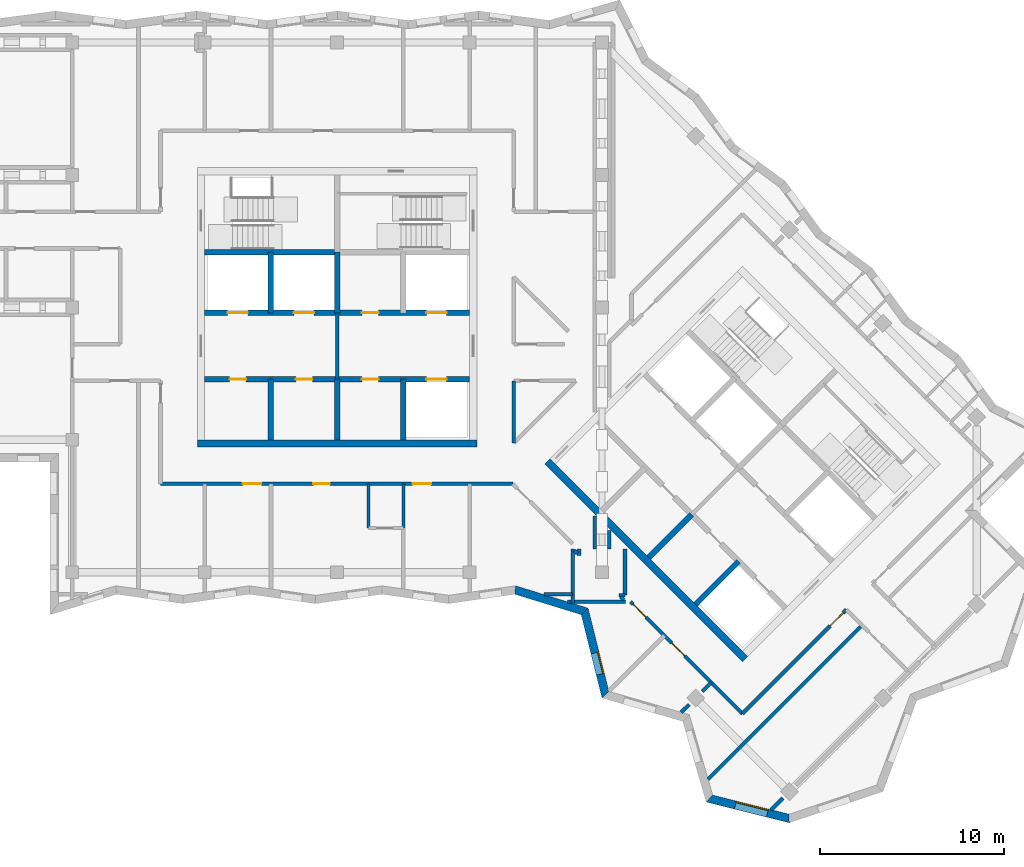
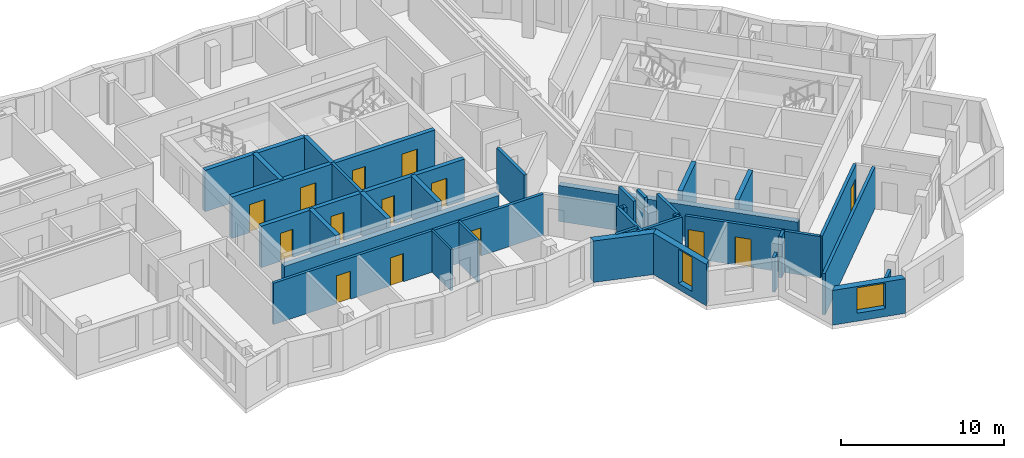
# One storey, part 4 of 12: 36 walls, 14 doors, 2 windows, 16 openings.
"""IFC4 building model written with IfcOpenShell, lengths in metres."""

from ifc_helpers import new_model, si_unit, direction, frame, frame_2d, origin, place, context, subcontext, project, spatial, polyline, rectangle, outline, extrude, material, layer, layer_set, type_object, element, fill, save


model = new_model("IFC4")

# Units and contexts
model_context = context("Model", 3, precision=1e-05, world=origin(), true_north=direction((0.0, 1.0)))
body_context = subcontext(model_context, "Body", "Model", "MODEL_VIEW")
ifc_project = project(units=[si_unit("LENGTHUNIT", "METRE"), si_unit("AREAUNIT", "SQUARE_METRE"), si_unit("VOLUMEUNIT", "CUBIC_METRE"), si_unit("PLANEANGLEUNIT", "RADIAN"), si_unit("MASSUNIT", "GRAM", prefix="KILO")], contexts=[model_context])

# Site, building, storey
site_placement = place(None, origin())
site = spatial("IfcSite", under=ifc_project, at=site_placement, CompositionType="ELEMENT")
building_placement = place(site_placement, origin())
building = spatial("IfcBuilding", under=site, at=building_placement, Name="Windrow Commons", CompositionType="ELEMENT")
storey_placement = place(building_placement, frame((0.0, 0.0, 267.6)))
storey = spatial("IfcBuildingStorey", under=building, at=storey_placement, Name="L73", CompositionType="ELEMENT", Elevation=267.6)

# Wall
ifc_material_1 = material(Name="Brick masonry, red clay brick", Category="masonry")
ifc_layer_1 = layer(ifc_material_1, 0.45)
ifc_layer_set_1 = layer_set([ifc_layer_1], Name="Brick facade wall 450")
wall_type_1 = type_object("IfcWallType", Name="Brick facade wall 450", PredefinedType="SOLIDWALL", material=ifc_layer_set_1)
wall_1_placement = place(storey_placement, frame((74.4776, 42.2298, 0.0), z_axis=(0.0, 0.0, 1.0), x_axis=(0.9556580509, -0.2944786746, 0.0)))
element("IfcWall", 1, at=wall_1_placement, inside=storey, type_object=wall_type_1, Name="Brick facade wall L73 46", PredefinedType="SOLIDWALL", context=body_context, shape_type="SweptSolid", body=[
    extrude(outline(polyline([(0.0503, -0.225), (3.8262, -0.225), (4.08, 0.225), (-0.0503, 0.225), (0.0503, -0.225)])), origin(), (0.0, 0.0, 1.0), 3.1),
])

# Wall, opening, window
wall_2_placement = place(storey_placement, frame((78.2554, 41.0657, 0.0), z_axis=(0.0, 0.0, 1.0), x_axis=(0.2425709501, -0.9701336682, 0.0)))
wall_2 = element("IfcWall", 2, at=wall_2_placement, inside=storey, type_object=wall_type_1, Name="Brick facade wall L73 47", PredefinedType="SOLIDWALL", context=body_context, shape_type="SweptSolid", body=[
    extrude(outline(polyline([(0.1269, -0.225), (4.7918, -0.225), (4.5332, 0.225), (-0.1269, 0.225), (0.1269, -0.225)])), origin(), (0.0, 0.0, 1.0), 3.1),
])
opening_1_placement = place(wall_2_placement, frame((2.322, 0.0, 0.45)))
opening_1 = element("IfcOpeningElement", 3, at=opening_1_placement, cuts=wall_2, Name="Opening W7F", PredefinedType="OPENING", context=body_context, shape_type="SweptSolid", body=[
    extrude(rectangle(XDim=1.2, YDim=2.55, at=frame_2d((0.6, 1.275))), frame((0.0, 0.235, 0.0), z_axis=(0.0, -1.0, 0.0), x_axis=(1.0, 0.0, 0.0)), (0.0, 0.0, 1.0), 0.47),
])
ifc_material_2 = material(Name="Clear float glass in anodised aluminium frame", Category="aluminium")
window_type_1 = type_object("IfcWindowType", Name="Window W7 notch 1200x2550", PartitioningType="SINGLE_PANEL", PredefinedType="WINDOW", material=ifc_material_2)
window_1_placement = place(opening_1_placement, origin())
window_1 = element("IfcWindow", 4, at=window_1_placement, inside=storey, type_object=window_type_1, Name="Window L73 47.1", OverallHeight=2.55, OverallWidth=1.2, PartitioningType="SINGLE_PANEL", PredefinedType="WINDOW", context=body_context, shape_type="SweptSolid", body=[
    extrude(rectangle(XDim=1.2, YDim=2.55, at=frame_2d((0.6, 1.275))), frame((0.0, 0.205, 0.0), z_axis=(0.0, -1.0, 0.0), x_axis=(1.0, 0.0, 0.0)), (0.0, 0.0, 1.0), 0.06),
])
fill(opening_1, window_1)

wall_3_placement = place(storey_placement, frame((85.0367, 30.8921, 0.0), z_axis=(0.0, 0.0, 1.0), x_axis=(0.970134604, -0.2425672073, 0.0)))
wall_3 = element("IfcWall", 5, at=wall_3_placement, inside=storey, type_object=wall_type_1, Name="Brick facade wall L73 50", PredefinedType="SOLIDWALL", context=body_context, shape_type="SweptSolid", body=[
    extrude(outline(polyline([(-0.1293, -0.225), (4.5357, -0.225), (4.4046, 0.225), (0.1293, 0.225), (-0.1293, -0.225)])), origin(), (0.0, 0.0, 1.0), 2.6),
])
opening_2_placement = place(wall_3_placement, frame((1.455, 0.0, 0.6)))
opening_2 = element("IfcOpeningElement", 6, at=opening_2_placement, cuts=wall_3, Name="Opening W1L", PredefinedType="OPENING", context=body_context, shape_type="SweptSolid", body=[
    extrude(rectangle(XDim=1.8, YDim=1.9, at=frame_2d((0.9, 0.95))), frame((0.0, 0.235, 0.0), z_axis=(0.0, -1.0, 0.0), x_axis=(1.0, 0.0, 0.0)), (0.0, 0.0, 1.0), 0.47),
])
ifc_material_3 = material(Name="Clear float glass in anodised aluminium frame", Category="aluminium")
window_type_2 = type_object("IfcWindowType", Name="Window W1L bedroom 1800x1900", PartitioningType="SINGLE_PANEL", PredefinedType="WINDOW", material=ifc_material_3)
window_2_placement = place(opening_2_placement, origin())
window_2 = element("IfcWindow", 7, at=window_2_placement, inside=storey, type_object=window_type_2, Name="Window L73 50.1", OverallHeight=1.9, OverallWidth=1.8, PartitioningType="SINGLE_PANEL", PredefinedType="WINDOW", context=body_context, shape_type="SweptSolid", body=[
    extrude(rectangle(XDim=1.8, YDim=1.9, at=frame_2d((0.9, 0.95))), frame((0.0, 0.205, 0.0), z_axis=(0.0, -1.0, 0.0), x_axis=(1.0, 0.0, 0.0)), (0.0, 0.0, 1.0), 0.06),
])
fill(opening_2, window_2)

# Wall
ifc_material_4 = material(Name="Blockwork partition", Category="masonry")
ifc_layer_2 = layer(ifc_material_4, 0.2)
ifc_layer_set_2 = layer_set([ifc_layer_2], Name="Fire lobby partition 200")
wall_type_2 = type_object("IfcWallType", Name="Fire lobby partition 200", PredefinedType="PARTITIONING", material=ifc_layer_set_2)
wall_4_placement = place(storey_placement, frame((64.8, 53.7, 0.0), z_axis=(0.0, 0.0, 1.0), x_axis=(0.0, 1.0, 0.0)))
element("IfcWall", 8, at=wall_4_placement, inside=storey, type_object=wall_type_2, Name="W-core-lobby-A-L73", PredefinedType="PARTITIONING", context=body_context, shape_type="SweptSolid", body=[
    extrude(rectangle(XDim=3.6, YDim=0.2, at=frame_2d((1.8, 0.0))), origin(), (0.0, 0.0, 1.0), 3.1),
])

# Wall, openings, doors
ifc_material_5 = material(Name="Blockwork partition", Category="masonry")
ifc_layer_3 = layer(ifc_material_5, 0.2)
ifc_layer_set_3 = layer_set([ifc_layer_3], Name="IW-CORRIDOR-200")
wall_type_3 = type_object("IfcWallType", Name="IW-CORRIDOR-200", PredefinedType="PARTITIONING", material=ifc_layer_set_3)
wall_5_placement = place(storey_placement, frame((55.2, 48.0, 0.0), z_axis=(0.0, 0.0, 1.0), x_axis=(1.0, 0.0, 0.0)))
wall_5 = element("IfcWall", 9, at=wall_5_placement, inside=storey, type_object=wall_type_3, Name="W-L73-W001", PredefinedType="PARTITIONING", context=body_context, shape_type="SweptSolid", body=[
    extrude(rectangle(XDim=19.15, YDim=0.2, at=frame_2d((9.575, 0.0))), origin(), (0.0, 0.0, 1.0), 3.1),
])
opening_3_placement = place(wall_5_placement, frame((4.475, 0.0, 0.0)))
opening_3 = element("IfcOpeningElement", 10, at=opening_3_placement, cuts=wall_5, Name="Opening D310F", PredefinedType="OPENING", context=body_context, shape_type="SweptSolid", body=[
    extrude(rectangle(XDim=1.0, YDim=2.1, at=frame_2d((0.5, 1.05))), frame((0.0, 0.11, 0.0), z_axis=(0.0, -1.0, 0.0), x_axis=(1.0, 0.0, 0.0)), (0.0, 0.0, 1.0), 0.22),
])
opening_4_placement = place(wall_5_placement, frame((8.3006, 0.0, 0.0)))
opening_4 = element("IfcOpeningElement", 11, at=opening_4_placement, cuts=wall_5, Name="Opening D109F", PredefinedType="OPENING", context=body_context, shape_type="SweptSolid", body=[
    extrude(rectangle(XDim=0.9, YDim=2.1, at=frame_2d((0.45, 1.05))), frame((0.0, 0.11, 0.0), z_axis=(0.0, -1.0, 0.0), x_axis=(1.0, 0.0, 0.0)), (0.0, 0.0, 1.0), 0.22),
])
opening_5_placement = place(wall_5_placement, frame((13.7075, 0.0, 0.0)))
opening_5 = element("IfcOpeningElement", 12, at=opening_5_placement, cuts=wall_5, Name="Opening D310F", PredefinedType="OPENING", context=body_context, shape_type="SweptSolid", body=[
    extrude(rectangle(XDim=1.0, YDim=2.1, at=frame_2d((0.5, 1.05))), frame((0.0, 0.11, 0.0), z_axis=(0.0, -1.0, 0.0), x_axis=(1.0, 0.0, 0.0)), (0.0, 0.0, 1.0), 0.22),
])
ifc_material_6 = material(Name="Timber door leaf", Category="wood")
door_type_1 = type_object("IfcDoorType", Name="DT-AMENITY-1000", OperationType="SINGLE_SWING_LEFT", PredefinedType="DOOR", material=ifc_material_6)
door_1_placement = place(opening_3_placement, origin())
door_1 = element("IfcDoor", 13, at=door_1_placement, inside=storey, type_object=door_type_1, Name="D-L73-D009", OperationType="SINGLE_SWING_LEFT", OverallHeight=2.1, OverallWidth=1.0, PredefinedType="DOOR", context=body_context, shape_type="SweptSolid", body=[
    extrude(rectangle(XDim=1.0, YDim=2.1, at=frame_2d((0.5, 1.05))), frame((0.0, 0.025, 0.0), z_axis=(0.0, -1.0, 0.0), x_axis=(1.0, 0.0, 0.0)), (0.0, 0.0, 1.0), 0.05),
])
fill(opening_3, door_1)
door_2_placement = place(opening_5_placement, origin())
door_2 = element("IfcDoor", 14, at=door_2_placement, inside=storey, type_object=door_type_1, Name="D-L73-D012", OperationType="SINGLE_SWING_RIGHT", OverallHeight=2.1, OverallWidth=1.0, PredefinedType="DOOR", context=body_context, shape_type="SweptSolid", body=[
    extrude(rectangle(XDim=1.0, YDim=2.1, at=frame_2d((0.5, 1.05))), frame((0.0, 0.025, 0.0), z_axis=(0.0, -1.0, 0.0), x_axis=(1.0, 0.0, 0.0)), (0.0, 0.0, 1.0), 0.05),
])
fill(opening_5, door_2)
ifc_material_7 = material(Name="Timber door leaf", Category="wood")
door_type_2 = type_object("IfcDoorType", Name="DT-BEDROOM-900", OperationType="SINGLE_SWING_LEFT", PredefinedType="DOOR", material=ifc_material_7)
door_3_placement = place(opening_4_placement, origin())
door_3 = element("IfcDoor", 15, at=door_3_placement, inside=storey, type_object=door_type_2, Name="D-L73-D010", OperationType="SINGLE_SWING_RIGHT", OverallHeight=2.1, OverallWidth=0.9, PredefinedType="DOOR", context=body_context, shape_type="SweptSolid", body=[
    extrude(rectangle(XDim=0.9, YDim=2.1, at=frame_2d((0.45, 1.05))), frame((0.0, 0.025, 0.0), z_axis=(0.0, -1.0, 0.0), x_axis=(1.0, 0.0, 0.0)), (0.0, 0.0, 1.0), 0.05),
])
fill(opening_4, door_3)

wall_6_placement = place(storey_placement, frame((80.7468, 41.5968, 0.0), z_axis=(0.0, 0.0, 1.0), x_axis=(0.7071067812, -0.7071067812, 0.0)))
wall_6 = element("IfcWall", 16, at=wall_6_placement, inside=storey, type_object=wall_type_3, Name="W-L73-W019", PredefinedType="PARTITIONING", context=body_context, shape_type="SweptSolid", body=[
    extrude(rectangle(XDim=8.6069, YDim=0.2, at=frame_2d((4.3034, 0.0))), origin(), (0.0, 0.0, 1.0), 3.1),
])
opening_6_placement = place(wall_6_placement, frame((0.1948, 0.0, 0.0)))
opening_6 = element("IfcOpeningElement", 17, at=opening_6_placement, cuts=wall_6, Name="Opening D310F", PredefinedType="OPENING", context=body_context, shape_type="SweptSolid", body=[
    extrude(rectangle(XDim=1.0, YDim=2.1, at=frame_2d((0.5, 1.05))), frame((0.0, 0.11, 0.0), z_axis=(0.0, -1.0, 0.0), x_axis=(1.0, 0.0, 0.0)), (0.0, 0.0, 1.0), 0.22),
])
opening_7_placement = place(wall_6_placement, frame((3.1754, 0.0, 0.0)))
opening_7 = element("IfcOpeningElement", 18, at=opening_7_placement, cuts=wall_6, Name="Opening D410F", PredefinedType="OPENING", context=body_context, shape_type="SweptSolid", body=[
    extrude(rectangle(XDim=1.0, YDim=2.1, at=frame_2d((0.5, 1.05))), frame((0.0, 0.11, 0.0), z_axis=(0.0, -1.0, 0.0), x_axis=(1.0, 0.0, 0.0)), (0.0, 0.0, 1.0), 0.22),
])
door_4_placement = place(opening_6_placement, origin())
door_4 = element("IfcDoor", 19, at=door_4_placement, inside=storey, type_object=door_type_1, Name="D-L73-D032", OperationType="SINGLE_SWING_LEFT", OverallHeight=2.1, OverallWidth=1.0, PredefinedType="DOOR", context=body_context, shape_type="SweptSolid", body=[
    extrude(rectangle(XDim=1.0, YDim=2.1, at=frame_2d((0.5, 1.05))), frame((0.0, 0.025, 0.0), z_axis=(0.0, -1.0, 0.0), x_axis=(1.0, 0.0, 0.0)), (0.0, 0.0, 1.0), 0.05),
])
fill(opening_6, door_4)
ifc_material_8 = material(Name="Timber door leaf", Category="wood")
door_type_3 = type_object("IfcDoorType", Name="DT-SERVICE-1000", OperationType="SINGLE_SWING_LEFT", PredefinedType="DOOR", material=ifc_material_8)
door_5_placement = place(opening_7_placement, origin())
door_5 = element("IfcDoor", 20, at=door_5_placement, inside=storey, type_object=door_type_3, Name="D-L73-D033", OperationType="SINGLE_SWING_LEFT", OverallHeight=2.1, OverallWidth=1.0, PredefinedType="DOOR", context=body_context, shape_type="SweptSolid", body=[
    extrude(rectangle(XDim=1.0, YDim=2.1, at=frame_2d((0.5, 1.05))), frame((0.0, 0.025, 0.0), z_axis=(0.0, -1.0, 0.0), x_axis=(1.0, 0.0, 0.0)), (0.0, 0.0, 1.0), 0.05),
])
fill(opening_7, door_5)

# Wall, opening, door
wall_7_placement = place(storey_placement, frame((86.8359, 35.5141, 0.0), z_axis=(0.0, 0.0, 1.0), x_axis=(0.7071067812, 0.7071067812, 0.0)))
wall_7 = element("IfcWall", 21, at=wall_7_placement, inside=storey, type_object=wall_type_3, Name="W-L73-W021", PredefinedType="PARTITIONING", context=body_context, shape_type="SweptSolid", body=[
    extrude(rectangle(XDim=7.9988, YDim=0.2, at=frame_2d((3.9994, 0.0))), origin(), (0.0, 0.0, 1.0), 3.1),
])
opening_8_placement = place(wall_7_placement, frame((6.7421, 0.0, 0.0)))
opening_8 = element("IfcOpeningElement", 22, at=opening_8_placement, cuts=wall_7, Name="Opening D310F", PredefinedType="OPENING", context=body_context, shape_type="SweptSolid", body=[
    extrude(rectangle(XDim=1.0, YDim=2.1, at=frame_2d((0.5, 1.05))), frame((0.0, 0.11, 0.0), z_axis=(0.0, -1.0, 0.0), x_axis=(1.0, 0.0, 0.0)), (0.0, 0.0, 1.0), 0.22),
])
door_6_placement = place(opening_8_placement, origin())
door_6 = element("IfcDoor", 23, at=door_6_placement, inside=storey, type_object=door_type_1, Name="D-L73-D035", OperationType="SINGLE_SWING_RIGHT", OverallHeight=2.1, OverallWidth=1.0, PredefinedType="DOOR", context=body_context, shape_type="SweptSolid", body=[
    extrude(rectangle(XDim=1.0, YDim=2.1, at=frame_2d((0.5, 1.05))), frame((0.0, 0.025, 0.0), z_axis=(0.0, -1.0, 0.0), x_axis=(1.0, 0.0, 0.0)), (0.0, 0.0, 1.0), 0.05),
])
fill(opening_8, door_6)

# Walls
wall_8_placement = place(storey_placement, frame((74.4, 50.232, 0.0), z_axis=(0.0, 0.0, 1.0), x_axis=(0.0, 1.0, 0.0)))
element("IfcWall", 24, at=wall_8_placement, inside=storey, type_object=wall_type_3, Name="W-L73-W057", PredefinedType="PARTITIONING", context=body_context, shape_type="SweptSolid", body=[
    extrude(rectangle(XDim=3.368, YDim=0.2, at=frame_2d((1.684, 0.0))), origin(), (0.0, 0.0, 1.0), 3.1),
])
wall_9_placement = place(storey_placement, frame((80.45, 41.952, 0.0), z_axis=(0.0, 0.0, 1.0), x_axis=(0.0, 1.0, 0.0)))
element("IfcWall", 25, at=wall_9_placement, inside=storey, type_object=wall_type_3, Name="W-L73-W076", PredefinedType="PARTITIONING", context=body_context, shape_type="SweptSolid", body=[
    extrude(rectangle(XDim=2.498, YDim=0.2, at=frame_2d((1.249, 0.0))), origin(), (0.0, 0.0, 1.0), 3.1),
])
wall_10_placement = place(storey_placement, frame((78.8, 44.45, 0.0), z_axis=(0.0, 0.0, 1.0), x_axis=(0.0, 1.0, 0.0)))
element("IfcWall", 26, at=wall_10_placement, inside=storey, type_object=wall_type_3, Name="W-L73-W095", PredefinedType="PARTITIONING", context=body_context, shape_type="SweptSolid", body=[
    extrude(rectangle(XDim=1.816, YDim=0.2, at=frame_2d((0.908, 0.0))), origin(), (0.0, 0.0, 1.0), 3.1),
])
wall_11_placement = place(storey_placement, frame((79.6, 44.45, 0.0), z_axis=(0.0, 0.0, 1.0), x_axis=(0.0, 1.0, 0.0)))
element("IfcWall", 27, at=wall_11_placement, inside=storey, type_object=wall_type_3, Name="W-L73-W112", PredefinedType="PARTITIONING", context=body_context, shape_type="SweptSolid", body=[
    extrude(rectangle(XDim=1.016, YDim=0.2, at=frame_2d((0.508, 0.0))), origin(), (0.0, 0.0, 1.0), 3.1),
])
for number, where, z_axis, x_axis, name in (
    (28, (80.2205, 41.8545, 0.0), (0.0, 0.0, 1.0), (0.7068844555, -0.707329037, 0.0), "W-L73-W134"),
    (29, (77.6954, 44.3795, 0.0), (0.0, 0.0, 1.0), (0.707329037, -0.7068844555, 0.0), "W-L73-W135"),
):
    element("IfcWall", number, at=place(storey_placement, frame(where, z_axis=z_axis, x_axis=x_axis)), inside=storey, type_object=wall_type_3, Name=name, PredefinedType="PARTITIONING", context=body_context, shape_type="SweptSolid", body=[
        extrude(rectangle(XDim=0.2249, YDim=0.2, at=frame_2d((0.1124, 0.0))), origin(), (0.0, 0.0, 1.0), 3.1),
    ])
for number, where, z_axis, x_axis, name in (
    (30, (80.118, 41.95, 0.0), (0.0, 0.0, 1.0), (1.0, 0.0, 0.0), "W-L73-W139"),
    (31, (77.95, 44.118, 0.0), (0.0, 0.0, 1.0), (0.0, 1.0, 0.0), "W-L73-W140"),
):
    element("IfcWall", number, at=place(storey_placement, frame(where, z_axis=z_axis, x_axis=x_axis)), inside=storey, type_object=wall_type_3, Name=name, PredefinedType="PARTITIONING", context=body_context, shape_type="SweptSolid", body=[
        extrude(rectangle(XDim=0.332, YDim=0.2, at=frame_2d((0.166, 0.0))), origin(), (0.0, 0.0, 1.0), 3.1),
    ])
ifc_material_9 = material(Name="Blockwork partition", Category="masonry")
ifc_layer_4 = layer(ifc_material_9, 0.15)
ifc_layer_set_4 = layer_set([ifc_layer_4], Name="IW-ENSUITE-150")
wall_type_4 = type_object("IfcWallType", Name="IW-ENSUITE-150", PredefinedType="PARTITIONING", material=ifc_layer_set_4)
for number, where, z_axis, x_axis, name in (
    (32, (66.5, 45.6, 0.0), (0.0, 0.0, 1.0), (0.0, 1.0, 0.0), "W-L73-W077"),
    (33, (68.4, 45.6, 0.0), (0.0, 0.0, 1.0), (0.0, 1.0, 0.0), "W-L73-W078"),
):
    element("IfcWall", number, at=place(storey_placement, frame(where, z_axis=z_axis, x_axis=x_axis)), inside=storey, type_object=wall_type_4, Name=name, PredefinedType="PARTITIONING", context=body_context, shape_type="SweptSolid", body=[
        extrude(rectangle(XDim=2.4, YDim=0.15, at=frame_2d((1.2, 0.0))), origin(), (0.0, 0.0, 1.0), 3.1),
    ])
ifc_material_10 = material(Name="Blockwork partition", Category="masonry")
ifc_layer_5 = layer(ifc_material_10, 0.2)
ifc_layer_set_5 = layer_set([ifc_layer_5], Name="IW-PARTY-200")
wall_type_5 = type_object("IfcWallType", Name="IW-PARTY-200", PredefinedType="PARTITIONING", material=ifc_layer_set_5)
wall_12_placement = place(storey_placement, frame((84.9649, 31.946, 0.0), z_axis=(0.0, 0.0, 1.0), x_axis=(0.7070265824, 0.7071869709, 0.0)))
element("IfcWall", 34, at=wall_12_placement, inside=storey, type_object=wall_type_5, Name="W-L73-W009", PredefinedType="PARTITIONING", context=body_context, shape_type="SweptSolid", body=[
    extrude(rectangle(XDim=11.8462, YDim=0.2, at=frame_2d((5.9231, 0.0))), origin(), (0.0, 0.0, 1.0), 3.1),
])
wall_13_placement = place(storey_placement, frame((77.3355, 41.6, 0.0), z_axis=(0.0, 0.0, 1.0), x_axis=(1.0, 0.0, 0.0)))
element("IfcWall", 35, at=wall_13_placement, inside=storey, type_object=wall_type_5, Name="W-L73-W060", PredefinedType="PARTITIONING", context=body_context, shape_type="SweptSolid", body=[
    extrude(rectangle(XDim=3.1325, YDim=0.2, at=frame_2d((1.5662, 0.0))), origin(), (0.0, 0.0, 1.0), 3.1),
])
wall_14_placement = place(storey_placement, frame((77.6, 41.5031, 0.0), z_axis=(0.0, 0.0, 1.0), x_axis=(0.0, 1.0, 0.0)))
element("IfcWall", 36, at=wall_14_placement, inside=storey, type_object=wall_type_5, Name="W-L73-W062", PredefinedType="PARTITIONING", context=body_context, shape_type="SweptSolid", body=[
    extrude(rectangle(XDim=2.9649, YDim=0.2, at=frame_2d((1.4825, 0.0))), origin(), (0.0, 0.0, 1.0), 3.1),
])
wall_15_placement = place(storey_placement, frame((76.0374, 42.0, 0.0), z_axis=(0.0, 0.0, 1.0), x_axis=(1.0, 0.0, 0.0)))
element("IfcWall", 37, at=wall_15_placement, inside=storey, type_object=wall_type_5, Name="W-L73-W107", PredefinedType="PARTITIONING", context=body_context, shape_type="SweptSolid", body=[
    extrude(rectangle(XDim=1.5626, YDim=0.2, at=frame_2d((0.7813, 0.0))), origin(), (0.0, 0.0, 1.0), 3.1),
])
wall_16_placement = place(storey_placement, frame((88.3945, 30.2844, 0.0), z_axis=(0.0, 0.0, 1.0), x_axis=(0.7070512369, 0.7071623211, 0.0)))
element("IfcWall", 38, at=wall_16_placement, inside=storey, type_object=wall_type_5, Name="W-L73-W117", PredefinedType="PARTITIONING", context=body_context, shape_type="SweptSolid", body=[
    extrude(rectangle(XDim=0.9002, YDim=0.2, at=frame_2d((0.4501, 0.0))), origin(), (0.0, 0.0, 1.0), 2.6),
])
wall_17_placement = place(storey_placement, frame((84.6408, 36.7132, 0.0), z_axis=(0.0, 0.0, 1.0), x_axis=(0.7071067812, 0.7071067812, 0.0)))
element("IfcWall", 39, at=wall_17_placement, inside=storey, type_object=wall_type_5, Name="W-L73-W125", PredefinedType="PARTITIONING", context=body_context, shape_type="SweptSolid", body=[
    extrude(rectangle(XDim=0.7043, YDim=0.2, at=frame_2d((0.3522, 0.0))), origin(), (0.0, 0.0, 1.0), 3.1),
])
wall_18_placement = place(storey_placement, frame((83.5059, 35.5806, 0.0), z_axis=(0.0, 0.0, 1.0), x_axis=(0.7089790393, 0.7052295526, 0.0)))
element("IfcWall", 40, at=wall_18_placement, inside=storey, type_object=wall_type_5, Name="W-L73-W131", PredefinedType="PARTITIONING", context=body_context, shape_type="SweptSolid", body=[
    extrude(rectangle(XDim=0.6134, YDim=0.2, at=frame_2d((0.3067, 0.0))), origin(), (0.0, 0.0, 1.0), 2.6),
])
ifc_material_11 = material(Name="Concrete C40/50", Category="concrete")
ifc_layer_6 = layer(ifc_material_11, 0.4)
ifc_layer_set_6 = layer_set([ifc_layer_6], Name="RC CORE WALL 400 C40/50")
wall_type_6 = type_object("IfcWallType", Name="RC CORE WALL 400 C40/50", PredefinedType="SHEAR", material=ifc_layer_set_6)
for number, where, z_axis, x_axis, name in (
    (41, (57.2, 50.2, -0.3), (0.0, 0.0, 1.0), (1.0, 0.0, 0.0), "Core A wall outer-S"),
    (42, (76.2302, 49.2312, -0.3), (0.0, 0.0, 1.0), (0.7071034917, -0.7071100706, 0.0), "Core B wall outer-S"),
):
    element("IfcWall", number, at=place(storey_placement, frame(where, z_axis=z_axis, x_axis=x_axis)), inside=storey, type_object=wall_type_6, Name=name, PredefinedType="SHEAR", context=body_context, shape_type="SweptSolid", body=[
        extrude(rectangle(XDim=15.2, YDim=0.4, at=frame_2d((7.6, 0.0))), origin(), (0.0, 0.0, 1.0), 2.7),
    ])
ifc_material_12 = material(Name="Concrete C40/50", Category="concrete")
ifc_layer_7 = layer(ifc_material_12, 0.3)
ifc_layer_set_7 = layer_set([ifc_layer_7], Name="RC SHAFT WALL 300 C40/50")
wall_type_7 = type_object("IfcWallType", Name="RC SHAFT WALL 300 C40/50", PredefinedType="SOLIDWALL", material=ifc_layer_set_7)
for number, where, z_axis, x_axis, name in (
    (43, (61.2, 50.4, 0.0), (0.0, 0.0, 1.0), (0.0, 1.0, 0.0), "Core A wall shaft-S1"),
    (44, (61.2, 57.3, 0.0), (0.0, 0.0, 1.0), (0.0, 1.0, 0.0), "Core A wall shaft-N1"),
    (45, (64.8, 50.4, 0.0), (0.0, 0.0, 1.0), (0.0, 1.0, 0.0), "Core A wall shaft-S2"),
    (46, (64.8, 57.3, 0.0), (0.0, 0.0, 1.0), (0.0, 1.0, 0.0), "Core A wall shaft-N2"),
    (47, (68.4, 50.4, 0.0), (0.0, 0.0, 1.0), (0.0, 1.0, 0.0), "Core A wall shaft-S3"),
):
    element("IfcWall", number, at=place(storey_placement, frame(where, z_axis=z_axis, x_axis=x_axis)), inside=storey, type_object=wall_type_7, Name=name, PredefinedType="SOLIDWALL", context=body_context, shape_type="SweptSolid", body=[
        extrude(rectangle(XDim=3.3, YDim=0.3, at=frame_2d((1.65, 0.0))), origin(), (0.0, 0.0, 1.0), 3.1),
    ])

# Wall, openings, doors
wall_19_placement = place(storey_placement, frame((57.6, 53.7, 0.0), z_axis=(0.0, 0.0, 1.0), x_axis=(1.0, 0.0, 0.0)))
wall_19 = element("IfcWall", 48, at=wall_19_placement, inside=storey, type_object=wall_type_7, Name="Core A wall lobby-S", PredefinedType="SOLIDWALL", context=body_context, shape_type="SweptSolid", body=[
    extrude(rectangle(XDim=14.4, YDim=0.3, at=frame_2d((7.2, 0.0))), origin(), (0.0, 0.0, 1.0), 3.1),
])
opening_9_placement = place(wall_19_placement, frame((1.35, 0.0, 0.0)))
opening_9 = element("IfcOpeningElement", 49, at=opening_9_placement, cuts=wall_19, Name="Opening D8", PredefinedType="OPENING", context=body_context, shape_type="SweptSolid", body=[
    extrude(rectangle(XDim=0.9, YDim=2.1, at=frame_2d((0.45, 1.05))), frame((0.0, 0.16, 0.0), z_axis=(0.0, -1.0, 0.0), x_axis=(1.0, 0.0, 0.0)), (0.0, 0.0, 1.0), 0.32),
])
opening_10_placement = place(wall_19_placement, frame((4.95, 0.0, 0.0)))
opening_10 = element("IfcOpeningElement", 50, at=opening_10_placement, cuts=wall_19, Name="Opening D8", PredefinedType="OPENING", context=body_context, shape_type="SweptSolid", body=[
    extrude(rectangle(XDim=0.9, YDim=2.1, at=frame_2d((0.45, 1.05))), frame((0.0, 0.16, 0.0), z_axis=(0.0, -1.0, 0.0), x_axis=(1.0, 0.0, 0.0)), (0.0, 0.0, 1.0), 0.32),
])
opening_11_placement = place(wall_19_placement, frame((8.55, 0.0, 0.0)))
opening_11 = element("IfcOpeningElement", 51, at=opening_11_placement, cuts=wall_19, Name="Opening D8", PredefinedType="OPENING", context=body_context, shape_type="SweptSolid", body=[
    extrude(rectangle(XDim=0.9, YDim=2.1, at=frame_2d((0.45, 1.05))), frame((0.0, 0.16, 0.0), z_axis=(0.0, -1.0, 0.0), x_axis=(1.0, 0.0, 0.0)), (0.0, 0.0, 1.0), 0.32),
])
opening_12_placement = place(wall_19_placement, frame((12.05, 0.0, 0.0)))
opening_12 = element("IfcOpeningElement", 52, at=opening_12_placement, cuts=wall_19, Name="Opening LD", PredefinedType="OPENING", context=body_context, shape_type="SweptSolid", body=[
    extrude(rectangle(XDim=1.1, YDim=2.1, at=frame_2d((0.55, 1.05))), frame((0.0, 0.16, 0.0), z_axis=(0.0, -1.0, 0.0), x_axis=(1.0, 0.0, 0.0)), (0.0, 0.0, 1.0), 0.32),
])
ifc_material_13 = material(Name="Steel fire door leaf", Category="steel")
door_type_4 = type_object("IfcDoorType", Name="Core store door 900", OperationType="SINGLE_SWING_LEFT", PredefinedType="DOOR", material=ifc_material_13)
door_7_placement = place(opening_9_placement, origin())
door_7 = element("IfcDoor", 53, at=door_7_placement, inside=storey, type_object=door_type_4, Name="Store door", OperationType="SINGLE_SWING_LEFT", OverallHeight=2.1, OverallWidth=0.9, PredefinedType="DOOR", context=body_context, shape_type="SweptSolid", body=[
    extrude(rectangle(XDim=0.9, YDim=2.1, at=frame_2d((0.45, 1.05))), frame((0.0, 0.025, 0.0), z_axis=(0.0, -1.0, 0.0), x_axis=(1.0, 0.0, 0.0)), (0.0, 0.0, 1.0), 0.05),
])
fill(opening_9, door_7)
door_8_placement = place(opening_10_placement, origin())
door_8 = element("IfcDoor", 54, at=door_8_placement, inside=storey, type_object=door_type_4, Name="Store door", OperationType="SINGLE_SWING_LEFT", OverallHeight=2.1, OverallWidth=0.9, PredefinedType="DOOR", context=body_context, shape_type="SweptSolid", body=[
    extrude(rectangle(XDim=0.9, YDim=2.1, at=frame_2d((0.45, 1.05))), frame((0.0, 0.025, 0.0), z_axis=(0.0, -1.0, 0.0), x_axis=(1.0, 0.0, 0.0)), (0.0, 0.0, 1.0), 0.05),
])
fill(opening_10, door_8)
door_9_placement = place(opening_11_placement, origin())
door_9 = element("IfcDoor", 55, at=door_9_placement, inside=storey, type_object=door_type_4, Name="Store door", OperationType="SINGLE_SWING_LEFT", OverallHeight=2.1, OverallWidth=0.9, PredefinedType="DOOR", context=body_context, shape_type="SweptSolid", body=[
    extrude(rectangle(XDim=0.9, YDim=2.1, at=frame_2d((0.45, 1.05))), frame((0.0, 0.025, 0.0), z_axis=(0.0, -1.0, 0.0), x_axis=(1.0, 0.0, 0.0)), (0.0, 0.0, 1.0), 0.05),
])
fill(opening_11, door_9)
ifc_material_14 = material(Name="Stainless steel door leaf", Category="steel")
door_type_5 = type_object("IfcDoorType", Name="Lift landing door 1100", OperationType="SLIDING_TO_LEFT", PredefinedType="DOOR", material=ifc_material_14)
door_10_placement = place(opening_12_placement, origin())
door_10 = element("IfcDoor", 56, at=door_10_placement, inside=storey, type_object=door_type_5, Name="Lift landing door", OperationType="SLIDING_TO_RIGHT", OverallHeight=2.1, OverallWidth=1.1, PredefinedType="DOOR", context=body_context, shape_type="SweptSolid", body=[
    extrude(rectangle(XDim=1.1, YDim=2.1, at=frame_2d((0.55, 1.05))), frame((0.0, 0.025, 0.0), z_axis=(0.0, -1.0, 0.0), x_axis=(1.0, 0.0, 0.0)), (0.0, 0.0, 1.0), 0.05),
])
fill(opening_12, door_10)

wall_20_placement = place(storey_placement, frame((57.6, 57.3, 0.0), z_axis=(0.0, 0.0, 1.0), x_axis=(1.0, 0.0, 0.0)))
wall_20 = element("IfcWall", 57, at=wall_20_placement, inside=storey, type_object=wall_type_7, Name="Core A wall lobby-N", PredefinedType="SOLIDWALL", context=body_context, shape_type="SweptSolid", body=[
    extrude(rectangle(XDim=14.4, YDim=0.3, at=frame_2d((7.2, 0.0))), origin(), (0.0, 0.0, 1.0), 3.1),
])
opening_13_placement = place(wall_20_placement, frame((8.55, 0.0, 0.0)))
opening_13 = element("IfcOpeningElement", 58, at=opening_13_placement, cuts=wall_20, Name="Opening D8", PredefinedType="OPENING", context=body_context, shape_type="SweptSolid", body=[
    extrude(rectangle(XDim=0.9, YDim=2.1, at=frame_2d((0.45, 1.05))), frame((0.0, 0.16, 0.0), z_axis=(0.0, -1.0, 0.0), x_axis=(1.0, 0.0, 0.0)), (0.0, 0.0, 1.0), 0.32),
])
opening_14_placement = place(wall_20_placement, frame((1.25, 0.0, 0.0)))
opening_14 = element("IfcOpeningElement", 59, at=opening_14_placement, cuts=wall_20, Name="Opening LD", PredefinedType="OPENING", context=body_context, shape_type="SweptSolid", body=[
    extrude(rectangle(XDim=1.1, YDim=2.1, at=frame_2d((0.55, 1.05))), frame((0.0, 0.16, 0.0), z_axis=(0.0, -1.0, 0.0), x_axis=(1.0, 0.0, 0.0)), (0.0, 0.0, 1.0), 0.32),
])
opening_15_placement = place(wall_20_placement, frame((4.85, 0.0, 0.0)))
opening_15 = element("IfcOpeningElement", 60, at=opening_15_placement, cuts=wall_20, Name="Opening LD", PredefinedType="OPENING", context=body_context, shape_type="SweptSolid", body=[
    extrude(rectangle(XDim=1.1, YDim=2.1, at=frame_2d((0.55, 1.05))), frame((0.0, 0.16, 0.0), z_axis=(0.0, -1.0, 0.0), x_axis=(1.0, 0.0, 0.0)), (0.0, 0.0, 1.0), 0.32),
])
opening_16_placement = place(wall_20_placement, frame((12.05, 0.0, 0.0)))
opening_16 = element("IfcOpeningElement", 61, at=opening_16_placement, cuts=wall_20, Name="Opening LD", PredefinedType="OPENING", context=body_context, shape_type="SweptSolid", body=[
    extrude(rectangle(XDim=1.1, YDim=2.1, at=frame_2d((0.55, 1.05))), frame((0.0, 0.16, 0.0), z_axis=(0.0, -1.0, 0.0), x_axis=(1.0, 0.0, 0.0)), (0.0, 0.0, 1.0), 0.32),
])
door_11_placement = place(opening_13_placement, origin())
door_11 = element("IfcDoor", 62, at=door_11_placement, inside=storey, type_object=door_type_4, Name="Store door", OperationType="SINGLE_SWING_LEFT", OverallHeight=2.1, OverallWidth=0.9, PredefinedType="DOOR", context=body_context, shape_type="SweptSolid", body=[
    extrude(rectangle(XDim=0.9, YDim=2.1, at=frame_2d((0.45, 1.05))), frame((0.0, 0.025, 0.0), z_axis=(0.0, -1.0, 0.0), x_axis=(1.0, 0.0, 0.0)), (0.0, 0.0, 1.0), 0.05),
])
fill(opening_13, door_11)
door_12_placement = place(opening_14_placement, origin())
door_12 = element("IfcDoor", 63, at=door_12_placement, inside=storey, type_object=door_type_5, Name="Lift landing door", OperationType="SLIDING_TO_LEFT", OverallHeight=2.1, OverallWidth=1.1, PredefinedType="DOOR", context=body_context, shape_type="SweptSolid", body=[
    extrude(rectangle(XDim=1.1, YDim=2.1, at=frame_2d((0.55, 1.05))), frame((0.0, 0.025, 0.0), z_axis=(0.0, -1.0, 0.0), x_axis=(1.0, 0.0, 0.0)), (0.0, 0.0, 1.0), 0.05),
])
fill(opening_14, door_12)
door_13_placement = place(opening_15_placement, origin())
door_13 = element("IfcDoor", 64, at=door_13_placement, inside=storey, type_object=door_type_5, Name="Lift landing door", OperationType="SLIDING_TO_RIGHT", OverallHeight=2.1, OverallWidth=1.1, PredefinedType="DOOR", context=body_context, shape_type="SweptSolid", body=[
    extrude(rectangle(XDim=1.1, YDim=2.1, at=frame_2d((0.55, 1.05))), frame((0.0, 0.025, 0.0), z_axis=(0.0, -1.0, 0.0), x_axis=(1.0, 0.0, 0.0)), (0.0, 0.0, 1.0), 0.05),
])
fill(opening_15, door_13)
door_14_placement = place(opening_16_placement, origin())
door_14 = element("IfcDoor", 65, at=door_14_placement, inside=storey, type_object=door_type_5, Name="Lift landing door", OperationType="SLIDING_TO_RIGHT", OverallHeight=2.1, OverallWidth=1.1, PredefinedType="DOOR", context=body_context, shape_type="SweptSolid", body=[
    extrude(rectangle(XDim=1.1, YDim=2.1, at=frame_2d((0.55, 1.05))), frame((0.0, 0.025, 0.0), z_axis=(0.0, -1.0, 0.0), x_axis=(1.0, 0.0, 0.0)), (0.0, 0.0, 1.0), 0.05),
])
fill(opening_16, door_14)

# Walls
wall_21_placement = place(storey_placement, frame((57.6, 60.6, 0.0), z_axis=(0.0, 0.0, 1.0), x_axis=(1.0, 0.0, 0.0)))
element("IfcWall", 66, at=wall_21_placement, inside=storey, type_object=wall_type_7, Name="Core A wall stair-S", PredefinedType="SOLIDWALL", context=body_context, shape_type="SweptSolid", body=[
    extrude(rectangle(XDim=7.2, YDim=0.3, at=frame_2d((3.6, 0.0))), origin(), (0.0, 0.0, 1.0), 3.1),
])
for number, where, z_axis, x_axis, name in (
    (67, (81.7456, 43.9986, 0.0), (0.0, 0.0, 1.0), (0.7071067812, 0.7071067812, 0.0), "Core B wall shaft-S2"),
    (68, (84.2912, 41.453, 0.0), (0.0, 0.0, 1.0), (0.7071067812, 0.7071067812, 0.0), "Core B wall shaft-S3"),
):
    element("IfcWall", number, at=place(storey_placement, frame(where, z_axis=z_axis, x_axis=x_axis)), inside=storey, type_object=wall_type_7, Name=name, PredefinedType="SOLIDWALL", context=body_context, shape_type="SweptSolid", body=[
        extrude(rectangle(XDim=3.2999, YDim=0.3, at=frame_2d((1.65, 0.0))), origin(), (0.0, 0.0, 1.0), 3.1),
    ])

save(model, "model.ifc")
